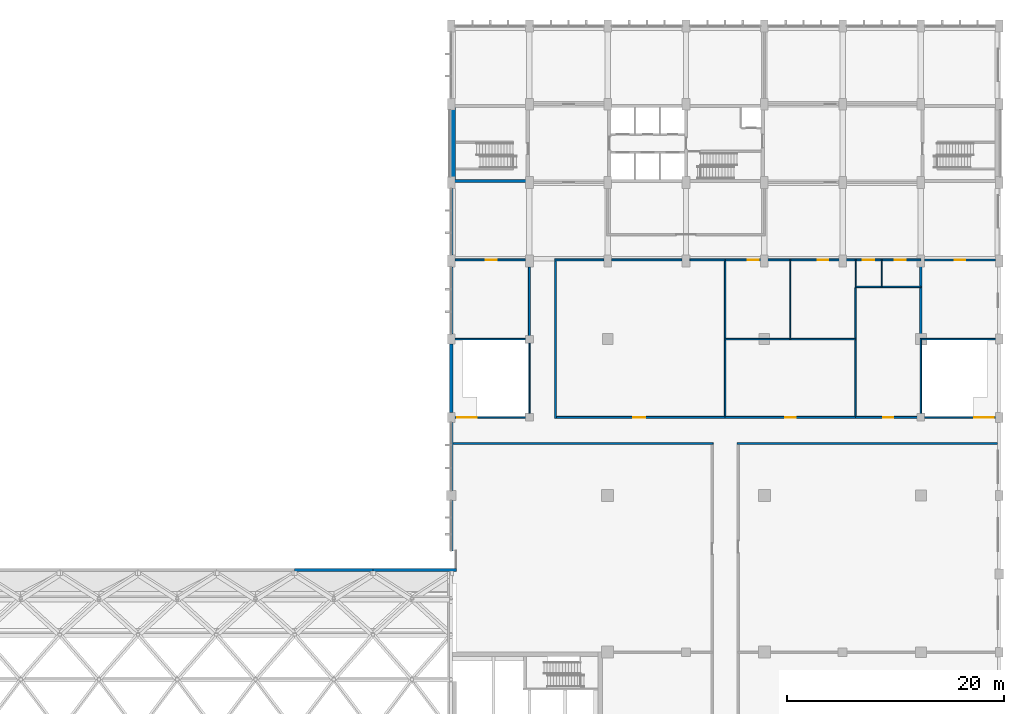
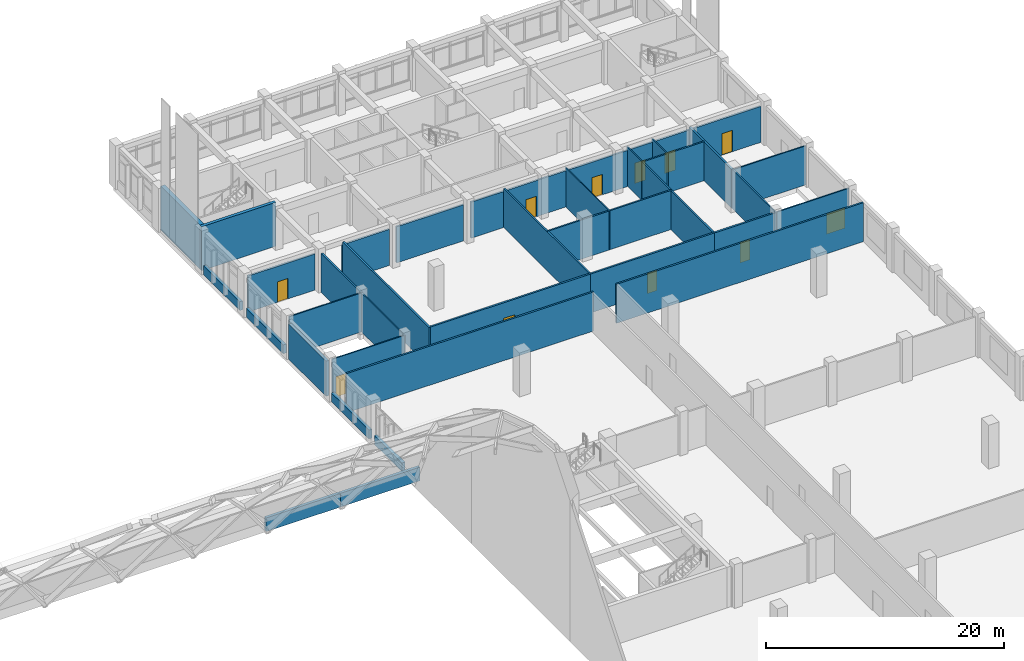
# One storey, part 36 of 52: 41 walls, 11 doors, 11 openings.
"""IFC4 building model written with IfcOpenShell, lengths in metres."""

from ifc_helpers import new_model, si_unit, direction, frame, frame_2d, origin, place, context, subcontext, project, spatial, rectangle, extrude, material, layer, layer_set, type_object, element, fill, save


model = new_model("IFC4")

# Units and contexts
model_context = context("Model", 3, precision=1e-05, world=origin(), true_north=direction((0.0, 1.0)))
body_context = subcontext(model_context, "Body", "Model", "MODEL_VIEW")
ifc_project = project(units=[si_unit("LENGTHUNIT", "METRE"), si_unit("AREAUNIT", "SQUARE_METRE"), si_unit("VOLUMEUNIT", "CUBIC_METRE"), si_unit("PLANEANGLEUNIT", "RADIAN"), si_unit("MASSUNIT", "GRAM", prefix="KILO")], contexts=[model_context])

# Site, building, storey
site_placement = place(None, origin())
site = spatial("IfcSite", under=ifc_project, at=site_placement, CompositionType="ELEMENT")
building_placement = place(site_placement, origin())
building = spatial("IfcBuilding", under=site, at=building_placement, Name="Vermilion Court Aquatics Centre", CompositionType="ELEMENT")
storey_placement = place(building_placement, frame((0.0, 0.0, 12.0)))
storey = spatial("IfcBuildingStorey", under=building, at=storey_placement, Name="L02", CompositionType="ELEMENT", Elevation=12.0)

# Walls
ifc_material_1 = material(Name="Brick masonry", Category="masonry")
ifc_layer_1 = layer(ifc_material_1, 0.280029296875)
ifc_layer_set_1 = layer_set([ifc_layer_1], Name="Envelope brick parapet 280")
wall_type_1 = type_object("IfcWallType", Name="Envelope brick parapet 280", PredefinedType="PARAPET", material=ifc_layer_set_1)
wall_1_placement = place(storey_placement, frame((129.60009765625, 65.159912109375, 0.0), z_axis=(0.0, 0.0, 1.0), x_axis=(1.0, 0.0, 0.0)))
element("IfcWall", 1, at=wall_1_placement, inside=storey, type_object=wall_type_1, Name="Roof parapet N17", PredefinedType="PARAPET", context=body_context, shape_type="SweptSolid", body=[
    extrude(rectangle(XDim=7.199951171875, YDim=0.280029296875, at=frame_2d((3.60009765625, 0.0))), origin(), (0.0, 0.0, 1.0), 1.39990234375),
])
wall_2_placement = place(storey_placement, frame((136.800048828125, 65.159912109375, 0.0), z_axis=(0.0, 0.0, 1.0), x_axis=(1.0, 0.0, 0.0)))
element("IfcWall", 2, at=wall_2_placement, inside=storey, type_object=wall_type_1, Name="Roof parapet N18", PredefinedType="PARAPET", context=body_context, shape_type="SweptSolid", body=[
    extrude(rectangle(XDim=7.699951171875, YDim=0.280029296875, at=frame_2d((3.85009765625, 0.0))), origin(), (0.0, 0.0, 1.0), 1.39990234375),
])
ifc_material_2 = material(Name="Concrete 8000 psi", Category="concrete")
ifc_layer_2 = layer(ifc_material_2, 0.39990234375)
ifc_layer_set_2 = layer_set([ifc_layer_2], Name="North block core brick-faced shear wall 400")
wall_type_2 = type_object("IfcWallType", Name="North block core brick-faced shear wall 400", PredefinedType="SHEAR", material=ifc_layer_set_2)
wall_3_placement = place(storey_placement, frame((144.199951171875, 101.10009765625, 0.0), z_axis=(0.0, 0.0, 1.0), x_axis=(0.0, 1.0, 0.0)))
element("IfcWall", 3, at=wall_3_placement, inside=storey, type_object=wall_type_2, Name="Stair 1 shear wall outer L02", PredefinedType="SHEAR", context=body_context, shape_type="SweptSolid", body=[
    extrude(rectangle(XDim=6.599853515625, YDim=0.39990234375, at=frame_2d((3.2998046875, 0.0))), origin(), (0.0, 0.0, 1.0), 4.5),
])
ifc_material_3 = material(Name="Concrete 8000 psi", Category="concrete")
ifc_layer_3 = layer(ifc_material_3, 0.300048828125)
ifc_layer_set_3 = layer_set([ifc_layer_3], Name="North block core shear wall 300")
wall_type_3 = type_object("IfcWallType", Name="North block core shear wall 300", PredefinedType="SHEAR", material=ifc_layer_set_3)
wall_4_placement = place(storey_placement, frame((144.0, 100.949951171875, 0.0), z_axis=(0.0, 0.0, 1.0), x_axis=(1.0, 0.0, 0.0)))
element("IfcWall", 4, at=wall_4_placement, inside=storey, type_object=wall_type_3, Name="Stair 1 shear wall south L02", PredefinedType="SHEAR", context=body_context, shape_type="SweptSolid", body=[
    extrude(rectangle(XDim=7.199951171875, YDim=0.300048828125, at=frame_2d((3.60009765625, 0.0))), origin(), (0.0, 0.0, 1.0), 4.5),
])
ifc_material_4 = material(Name="Concrete masonry ASTM C90 Type I", Category="masonry")
ifc_layer_4 = layer(ifc_material_4, 0.175048828125)
ifc_layer_set_4 = layer_set([ifc_layer_4], Name="Podium corridor wall 175, 1 hr")
wall_type_4 = type_object("IfcWallType", Name="Podium corridor wall 175, 1 hr", PredefinedType="PARTITIONING", material=ifc_layer_set_4)
for number, where, z_axis, x_axis, name in (
    (5, (144.14990234375, 76.800048828125, 0.0), (0.0, 0.0, 1.0), (1.0, 0.0, 0.0), "Corridor wall"),
    (6, (170.3125, 76.800048828125, 0.0), (0.0, 0.0, 1.0), (1.0, 0.0, 0.0), "Corridor wall"),
):
    element("IfcWall", number, at=place(storey_placement, frame(where, z_axis=z_axis, x_axis=x_axis)), inside=storey, type_object=wall_type_4, Name=name, PredefinedType="PARTITIONING", context=body_context, shape_type="SweptSolid", body=[
        extrude(rectangle(XDim=23.9375, YDim=0.175048828125, at=frame_2d((11.96875, 0.0))), origin(), (0.0, 0.0, 1.0), 4.0),
    ])

# Wall, opening, door
wall_5_placement = place(storey_placement, frame((153.6875, 79.199951171875, 0.0), z_axis=(0.0, 0.0, 1.0), x_axis=(1.0, 0.0, 0.0)))
wall_5 = element("IfcWall", 7, at=wall_5_placement, inside=storey, type_object=wall_type_4, Name="Corridor wall", PredefinedType="PARTITIONING", context=body_context, shape_type="SweptSolid", body=[
    extrude(rectangle(XDim=15.512451171875, YDim=0.175048828125, at=frame_2d((7.75634765625, 0.0))), origin(), (0.0, 0.0, 1.0), 4.0),
])
opening_1_placement = place(wall_5_placement, frame((7.061279296875, 0.0, 0.0)))
opening_1 = element("IfcOpeningElement", 8, at=opening_1_placement, cuts=wall_5, Name="Opening P02-013", PredefinedType="OPENING", context=body_context, shape_type="SweptSolid", body=[
    extrude(rectangle(XDim=1.10009765625, YDim=2.39990234375, at=frame_2d((0.550048828125, 1.199951171875))), frame((0.0, 0.097412109375, 0.0), z_axis=(0.0, -1.0, 0.0), x_axis=(1.0, 0.0, 0.0)), (0.0, 0.0, 1.0), 0.195068359375),
])
ifc_material_5 = material(Name="Hollow metal")
door_type_1 = type_object("IfcDoorType", Name="Podium fire door community room 1100x2400, 60 min", OperationType="SINGLE_SWING_LEFT", PredefinedType="DOOR", material=ifc_material_5)
door_1_placement = place(opening_1_placement, origin())
door_1 = element("IfcDoor", 9, at=door_1_placement, inside=storey, type_object=door_type_1, Name="Door", OperationType="SINGLE_SWING_LEFT", OverallHeight=2.39990234375, OverallWidth=1.10009765625, PredefinedType="DOOR", context=body_context, shape_type="SweptSolid", body=[
    extrude(rectangle(XDim=1.10009765625, YDim=2.39990234375, at=frame_2d((0.550048828125, 1.199951171875))), frame((0.0, 0.02490234375, 0.0), z_axis=(0.0, -1.0, 0.0), x_axis=(1.0, 0.0, 0.0)), (0.0, 0.0, 1.0), 0.050048828125),
])
fill(opening_1, door_1)

wall_6_placement = place(storey_placement, frame((169.199951171875, 79.199951171875, 0.0), z_axis=(0.0, 0.0, 1.0), x_axis=(1.0, 0.0, 0.0)))
wall_6 = element("IfcWall", 10, at=wall_6_placement, inside=storey, type_object=wall_type_4, Name="Corridor wall", PredefinedType="PARTITIONING", context=body_context, shape_type="SweptSolid", body=[
    extrude(rectangle(XDim=12.0, YDim=0.175048828125, at=frame_2d((6.0, 0.0))), origin(), (0.0, 0.0, 1.0), 4.0),
])
opening_2_placement = place(wall_6_placement, frame((5.52490234375, 0.0, 0.0)))
opening_2 = element("IfcOpeningElement", 11, at=opening_2_placement, cuts=wall_6, Name="Opening P02-014", PredefinedType="OPENING", context=body_context, shape_type="SweptSolid", body=[
    extrude(rectangle(XDim=0.949951171875, YDim=2.10009765625, at=frame_2d((0.47509765625, 1.050048828125))), frame((0.0, 0.097412109375, 0.0), z_axis=(0.0, -1.0, 0.0), x_axis=(1.0, 0.0, 0.0)), (0.0, 0.0, 1.0), 0.195068359375),
])
ifc_material_6 = material(Name="Hollow metal")
door_type_2 = type_object("IfcDoorType", Name="Podium fire door treatment room 950x2100, 60 min", OperationType="NOTDEFINED", PredefinedType="DOOR", material=ifc_material_6)
door_2_placement = place(opening_2_placement, origin())
door_2 = element("IfcDoor", 12, at=door_2_placement, inside=storey, type_object=door_type_2, Name="Door", OperationType="SINGLE_SWING_RIGHT", OverallHeight=2.10009765625, OverallWidth=0.949951171875, PredefinedType="DOOR", context=body_context, shape_type="SweptSolid", body=[
    extrude(rectangle(XDim=0.949951171875, YDim=2.10009765625, at=frame_2d((0.47509765625, 1.050048828125))), frame((0.0, 0.02490234375, 0.0), z_axis=(0.0, -1.0, 0.0), x_axis=(1.0, 0.0, 0.0)), (0.0, 0.0, 1.0), 0.050048828125),
])
fill(opening_2, door_2)

wall_7_placement = place(storey_placement, frame((181.199951171875, 79.199951171875, 0.0), z_axis=(0.0, 0.0, 1.0), x_axis=(1.0, 0.0, 0.0)))
wall_7 = element("IfcWall", 13, at=wall_7_placement, inside=storey, type_object=wall_type_4, Name="Corridor wall", PredefinedType="PARTITIONING", context=body_context, shape_type="SweptSolid", body=[
    extrude(rectangle(XDim=5.9375, YDim=0.175048828125, at=frame_2d((2.96875, 0.0))), origin(), (0.0, 0.0, 1.0), 4.0),
])
opening_3_placement = place(wall_7_placement, frame((2.52490234375, 0.0, 0.0)))
opening_3 = element("IfcOpeningElement", 14, at=opening_3_placement, cuts=wall_7, Name="Opening P02-015", PredefinedType="OPENING", context=body_context, shape_type="SweptSolid", body=[
    extrude(rectangle(XDim=0.949951171875, YDim=2.10009765625, at=frame_2d((0.47509765625, 1.050048828125))), frame((0.0, 0.097412109375, 0.0), z_axis=(0.0, -1.0, 0.0), x_axis=(1.0, 0.0, 0.0)), (0.0, 0.0, 1.0), 0.195068359375),
])
door_3_placement = place(opening_3_placement, origin())
door_3 = element("IfcDoor", 15, at=door_3_placement, inside=storey, type_object=door_type_2, Name="Door", OperationType="SINGLE_SWING_RIGHT", OverallHeight=2.10009765625, OverallWidth=0.949951171875, PredefinedType="DOOR", context=body_context, shape_type="SweptSolid", body=[
    extrude(rectangle(XDim=0.949951171875, YDim=2.10009765625, at=frame_2d((0.47509765625, 1.050048828125))), frame((0.0, 0.02490234375, 0.0), z_axis=(0.0, -1.0, 0.0), x_axis=(1.0, 0.0, 0.0)), (0.0, 0.0, 1.0), 0.050048828125),
])
fill(opening_3, door_3)

# Walls
wall_8_placement = place(storey_placement, frame((153.60009765625, 79.112548828125, 0.0), z_axis=(0.0, 0.0, 1.0), x_axis=(0.0, 1.0, 0.0)))
element("IfcWall", 16, at=wall_8_placement, inside=storey, type_object=wall_type_4, Name="Corridor wall", PredefinedType="PARTITIONING", context=body_context, shape_type="SweptSolid", body=[
    extrude(rectangle(XDim=14.487548828125, YDim=0.175048828125, at=frame_2d((7.24365234375, 0.0))), origin(), (0.0, 0.0, 1.0), 4.0),
])
wall_9_placement = place(storey_placement, frame((151.199951171875, 86.46240234375, 0.0), z_axis=(0.0, 0.0, 1.0), x_axis=(0.0, 1.0, 0.0)))
element("IfcWall", 17, at=wall_9_placement, inside=storey, type_object=wall_type_4, Name="Corridor wall", PredefinedType="PARTITIONING", context=body_context, shape_type="SweptSolid", body=[
    extrude(rectangle(XDim=6.587646484375, YDim=0.175048828125, at=frame_2d((3.2939453125, 0.0))), origin(), (0.0, 0.0, 1.0), 4.0),
])

# Wall, opening, door
wall_10_placement = place(storey_placement, frame((144.35009765625, 93.6875, 0.0), z_axis=(0.0, 0.0, 1.0), x_axis=(1.0, 0.0, 0.0)))
wall_10 = element("IfcWall", 18, at=wall_10_placement, inside=storey, type_object=wall_type_4, Name="Corridor wall", PredefinedType="PARTITIONING", context=body_context, shape_type="SweptSolid", body=[
    extrude(rectangle(XDim=6.5, YDim=0.175048828125, at=frame_2d((3.25, 0.0))), origin(), (0.0, 0.0, 1.0), 3.699951171875),
])
opening_4_placement = place(wall_10_placement, frame((2.852783203125, 0.0, 0.0)))
opening_4 = element("IfcOpeningElement", 19, at=opening_4_placement, cuts=wall_10, Name="Opening P02-019", PredefinedType="OPENING", context=body_context, shape_type="SweptSolid", body=[
    extrude(rectangle(XDim=1.0, YDim=2.10009765625, at=frame_2d((0.5, 1.050048828125))), frame((0.0, 0.097412109375, 0.0), z_axis=(0.0, -1.0, 0.0), x_axis=(1.0, 0.0, 0.0)), (0.0, 0.0, 1.0), 0.195068359375),
])
ifc_material_7 = material(Name="Hollow metal")
door_type_3 = type_object("IfcDoorType", Name="Podium fire door leaf 1000x2100, 60 min", OperationType="NOTDEFINED", PredefinedType="DOOR", material=ifc_material_7)
door_4_placement = place(opening_4_placement, frame((1.0, 0.0, 0.0), z_axis=(0.0, 0.0, 1.0), x_axis=(-1.0, 0.0, 0.0)))
door_4 = element("IfcDoor", 20, at=door_4_placement, inside=storey, type_object=door_type_3, Name="Door", OperationType="SINGLE_SWING_RIGHT", OverallHeight=2.10009765625, OverallWidth=1.0, PredefinedType="DOOR", context=body_context, shape_type="SweptSolid", body=[
    extrude(rectangle(XDim=1.0, YDim=2.10009765625, at=frame_2d((0.5, 1.050048828125))), frame((0.0, 0.025146484375, 0.0), z_axis=(0.0, -1.0, 0.0), x_axis=(1.0, 0.0, 0.0)), (0.0, 0.0, 1.0), 0.050048828125),
])
fill(opening_4, door_4)

# Walls
wall_11_placement = place(storey_placement, frame((153.512451171875, 93.6875, 0.0), z_axis=(0.0, 0.0, 1.0), x_axis=(1.0, 0.0, 0.0)))
element("IfcWall", 21, at=wall_11_placement, inside=storey, type_object=wall_type_4, Name="Corridor wall", PredefinedType="PARTITIONING", context=body_context, shape_type="SweptSolid", body=[
    extrude(rectangle(XDim=4.53759765625, YDim=0.175048828125, at=frame_2d((2.268798828125, 0.0))), origin(), (0.0, 0.0, 1.0), 3.699951171875),
])
wall_12_placement = place(storey_placement, frame((158.75, 93.6875, 0.0), z_axis=(0.0, 0.0, 1.0), x_axis=(1.0, 0.0, 0.0)))
element("IfcWall", 22, at=wall_12_placement, inside=storey, type_object=wall_type_4, Name="Corridor wall", PredefinedType="PARTITIONING", context=body_context, shape_type="SweptSolid", body=[
    extrude(rectangle(XDim=6.5, YDim=0.175048828125, at=frame_2d((3.25, 0.0))), origin(), (0.0, 0.0, 1.0), 3.699951171875),
])
wall_13_placement = place(storey_placement, frame((165.949951171875, 93.6875, 0.0), z_axis=(0.0, 0.0, 1.0), x_axis=(1.0, 0.0, 0.0)))
element("IfcWall", 23, at=wall_13_placement, inside=storey, type_object=wall_type_4, Name="Corridor wall", PredefinedType="PARTITIONING", context=body_context, shape_type="SweptSolid", body=[
    extrude(rectangle(XDim=3.25, YDim=0.175048828125, at=frame_2d((1.625, 0.0))), origin(), (0.0, 0.0, 1.0), 3.699951171875),
])

# Wall, opening, door
wall_14_placement = place(storey_placement, frame((169.199951171875, 93.6875, 0.0), z_axis=(0.0, 0.0, 1.0), x_axis=(1.0, 0.0, 0.0)))
wall_14 = element("IfcWall", 24, at=wall_14_placement, inside=storey, type_object=wall_type_4, Name="Corridor wall", PredefinedType="PARTITIONING", context=body_context, shape_type="SweptSolid", body=[
    extrude(rectangle(XDim=5.949951171875, YDim=0.175048828125, at=frame_2d((2.97509765625, 0.0))), origin(), (0.0, 0.0, 1.0), 3.699951171875),
])
opening_5_placement = place(wall_14_placement, frame((2.10009765625, 0.0, 0.0)))
opening_5 = element("IfcOpeningElement", 25, at=opening_5_placement, cuts=wall_14, Name="Opening P02-021", PredefinedType="OPENING", context=body_context, shape_type="SweptSolid", body=[
    extrude(rectangle(XDim=1.0, YDim=2.10009765625, at=frame_2d((0.5, 1.050048828125))), frame((0.0, 0.097412109375, 0.0), z_axis=(0.0, -1.0, 0.0), x_axis=(1.0, 0.0, 0.0)), (0.0, 0.0, 1.0), 0.195068359375),
])
door_5_placement = place(opening_5_placement, frame((1.0, 0.0, 0.0), z_axis=(0.0, 0.0, 1.0), x_axis=(-1.0, 0.0, 0.0)))
door_5 = element("IfcDoor", 26, at=door_5_placement, inside=storey, type_object=door_type_3, Name="Door", OperationType="SINGLE_SWING_LEFT", OverallHeight=2.10009765625, OverallWidth=1.0, PredefinedType="DOOR", context=body_context, shape_type="SweptSolid", body=[
    extrude(rectangle(XDim=1.0, YDim=2.10009765625, at=frame_2d((0.5, 1.050048828125))), frame((0.0, 0.025146484375, 0.0), z_axis=(0.0, -1.0, 0.0), x_axis=(1.0, 0.0, 0.0)), (0.0, 0.0, 1.0), 0.050048828125),
])
fill(opening_5, door_5)

wall_15_placement = place(storey_placement, frame((175.25, 93.6875, 0.0), z_axis=(0.0, 0.0, 1.0), x_axis=(1.0, 0.0, 0.0)))
wall_15 = element("IfcWall", 27, at=wall_15_placement, inside=storey, type_object=wall_type_4, Name="Corridor wall", PredefinedType="PARTITIONING", context=body_context, shape_type="SweptSolid", body=[
    extrude(rectangle(XDim=5.89990234375, YDim=0.175048828125, at=frame_2d((2.949951171875, 0.0))), origin(), (0.0, 0.0, 1.0), 3.699951171875),
])
opening_6_placement = place(wall_15_placement, frame((2.449951171875, 0.0, 0.0)))
opening_6 = element("IfcOpeningElement", 28, at=opening_6_placement, cuts=wall_15, Name="Opening P02-022", PredefinedType="OPENING", context=body_context, shape_type="SweptSolid", body=[
    extrude(rectangle(XDim=1.0, YDim=2.10009765625, at=frame_2d((0.5, 1.050048828125))), frame((0.0, 0.097412109375, 0.0), z_axis=(0.0, -1.0, 0.0), x_axis=(1.0, 0.0, 0.0)), (0.0, 0.0, 1.0), 0.195068359375),
])
door_6_placement = place(opening_6_placement, frame((1.0, 0.0, 0.0), z_axis=(0.0, 0.0, 1.0), x_axis=(-1.0, 0.0, 0.0)))
door_6 = element("IfcDoor", 29, at=door_6_placement, inside=storey, type_object=door_type_3, Name="Door", OperationType="SINGLE_SWING_LEFT", OverallHeight=2.10009765625, OverallWidth=1.0, PredefinedType="DOOR", context=body_context, shape_type="SweptSolid", body=[
    extrude(rectangle(XDim=1.0, YDim=2.10009765625, at=frame_2d((0.5, 1.050048828125))), frame((0.0, 0.025146484375, 0.0), z_axis=(0.0, -1.0, 0.0), x_axis=(1.0, 0.0, 0.0)), (0.0, 0.0, 1.0), 0.050048828125),
])
fill(opening_6, door_6)

wall_16_placement = place(storey_placement, frame((181.25, 93.6875, 0.0), z_axis=(0.0, 0.0, 1.0), x_axis=(1.0, 0.0, 0.0)))
wall_16 = element("IfcWall", 30, at=wall_16_placement, inside=storey, type_object=wall_type_4, Name="Corridor wall", PredefinedType="PARTITIONING", context=body_context, shape_type="SweptSolid", body=[
    extrude(rectangle(XDim=2.300048828125, YDim=0.175048828125, at=frame_2d((1.14990234375, 0.0))), origin(), (0.0, 0.0, 1.0), 3.699951171875),
])
opening_7_placement = place(wall_16_placement, frame((0.625, 0.0, 0.0)))
opening_7 = element("IfcOpeningElement", 31, at=opening_7_placement, cuts=wall_16, Name="Opening P02-023", PredefinedType="OPENING", context=body_context, shape_type="SweptSolid", body=[
    extrude(rectangle(XDim=1.050048828125, YDim=2.10009765625, at=frame_2d((0.52490234375, 1.050048828125))), frame((0.0, 0.097412109375, 0.0), z_axis=(0.0, -1.0, 0.0), x_axis=(1.0, 0.0, 0.0)), (0.0, 0.0, 1.0), 0.195068359375),
])
ifc_material_8 = material(Name="Hollow metal")
door_type_4 = type_object("IfcDoorType", Name="Podium fire door accessible WC 1050x2100, 60 min", OperationType="NOTDEFINED", PredefinedType="DOOR", material=ifc_material_8)
door_7_placement = place(opening_7_placement, frame((1.050048828125, 0.0, 0.0), z_axis=(0.0, 0.0, 1.0), x_axis=(-1.0, 0.0, 0.0)))
door_7 = element("IfcDoor", 32, at=door_7_placement, inside=storey, type_object=door_type_4, Name="Door", OperationType="SINGLE_SWING_LEFT", OverallHeight=2.10009765625, OverallWidth=1.050048828125, PredefinedType="DOOR", context=body_context, shape_type="SweptSolid", body=[
    extrude(rectangle(XDim=1.050048828125, YDim=2.10009765625, at=frame_2d((0.525146484375, 1.050048828125))), frame((0.0, 0.025146484375, 0.0), z_axis=(0.0, -1.0, 0.0), x_axis=(1.0, 0.0, 0.0)), (0.0, 0.0, 1.0), 0.050048828125),
])
fill(opening_7, door_7)

wall_17_placement = place(storey_placement, frame((183.64990234375, 93.6875, 0.0), z_axis=(0.0, 0.0, 1.0), x_axis=(1.0, 0.0, 0.0)))
wall_17 = element("IfcWall", 33, at=wall_17_placement, inside=storey, type_object=wall_type_4, Name="Corridor wall", PredefinedType="PARTITIONING", context=body_context, shape_type="SweptSolid", body=[
    extrude(rectangle(XDim=3.550048828125, YDim=0.175048828125, at=frame_2d((1.77490234375, 0.0))), origin(), (0.0, 0.0, 1.0), 3.699951171875),
])
opening_8_placement = place(wall_17_placement, frame((1.14404296875, 0.0, 0.0)))
opening_8 = element("IfcOpeningElement", 34, at=opening_8_placement, cuts=wall_17, Name="Opening P02-016", PredefinedType="OPENING", context=body_context, shape_type="SweptSolid", body=[
    extrude(rectangle(XDim=1.0, YDim=2.10009765625, at=frame_2d((0.5, 1.050048828125))), frame((0.0, 0.097412109375, 0.0), z_axis=(0.0, -1.0, 0.0), x_axis=(1.0, 0.0, 0.0)), (0.0, 0.0, 1.0), 0.195068359375),
])
door_8_placement = place(opening_8_placement, frame((1.0, 0.0, 0.0), z_axis=(0.0, 0.0, 1.0), x_axis=(-1.0, 0.0, 0.0)))
door_8 = element("IfcDoor", 35, at=door_8_placement, inside=storey, type_object=door_type_3, Name="Door", OperationType="SINGLE_SWING_LEFT", OverallHeight=2.10009765625, OverallWidth=1.0, PredefinedType="DOOR", context=body_context, shape_type="SweptSolid", body=[
    extrude(rectangle(XDim=1.0, YDim=2.10009765625, at=frame_2d((0.5, 1.050048828125))), frame((0.0, 0.025146484375, 0.0), z_axis=(0.0, -1.0, 0.0), x_axis=(1.0, 0.0, 0.0)), (0.0, 0.0, 1.0), 0.050048828125),
])
fill(opening_8, door_8)

wall_18_placement = place(storey_placement, frame((187.550048828125, 93.6875, 0.0), z_axis=(0.0, 0.0, 1.0), x_axis=(1.0, 0.0, 0.0)))
wall_18 = element("IfcWall", 36, at=wall_18_placement, inside=storey, type_object=wall_type_4, Name="Corridor wall", PredefinedType="PARTITIONING", context=body_context, shape_type="SweptSolid", body=[
    extrude(rectangle(XDim=6.5, YDim=0.175048828125, at=frame_2d((3.25, 0.0))), origin(), (0.0, 0.0, 1.0), 3.699951171875),
])
opening_9_placement = place(wall_18_placement, frame((2.75, 0.0, 0.0)))
opening_9 = element("IfcOpeningElement", 37, at=opening_9_placement, cuts=wall_18, Name="Opening P02-020", PredefinedType="OPENING", context=body_context, shape_type="SweptSolid", body=[
    extrude(rectangle(XDim=1.0, YDim=2.199951171875, at=frame_2d((0.5, 1.10009765625))), frame((0.0, 0.097412109375, 0.0), z_axis=(0.0, -1.0, 0.0), x_axis=(1.0, 0.0, 0.0)), (0.0, 0.0, 1.0), 0.195068359375),
])
ifc_material_9 = material(Name="Hollow metal")
door_type_5 = type_object("IfcDoorType", Name="Podium fire door back-of-house leaf 1000x2200, 60 min", OperationType="NOTDEFINED", PredefinedType="DOOR", material=ifc_material_9)
door_9_placement = place(opening_9_placement, frame((1.0, 0.0, 0.0), z_axis=(0.0, 0.0, 1.0), x_axis=(-1.0, 0.0, 0.0)))
door_9 = element("IfcDoor", 38, at=door_9_placement, inside=storey, type_object=door_type_5, Name="Door", OperationType="SINGLE_SWING_LEFT", OverallHeight=2.199951171875, OverallWidth=1.0, PredefinedType="DOOR", context=body_context, shape_type="SweptSolid", body=[
    extrude(rectangle(XDim=1.0, YDim=2.199951171875, at=frame_2d((0.5, 1.10009765625))), frame((0.0, 0.025146484375, 0.0), z_axis=(0.0, -1.0, 0.0), x_axis=(1.0, 0.0, 0.0)), (0.0, 0.0, 1.0), 0.050048828125),
])
fill(opening_9, door_9)

# Walls
ifc_material_10 = material(Name="Brick masonry", Category="masonry")
ifc_layer_5 = layer(ifc_material_10, 0.300048828125)
ifc_layer_set_5 = layer_set([ifc_layer_5], Name="Podium facade brick wall 300")
wall_type_5 = type_object("IfcWallType", Name="Podium facade brick wall 300", PredefinedType="SOLIDWALL", material=ifc_layer_set_5)
wall_19_placement = place(storey_placement, frame((144.0, 66.89990234375, 0.0), z_axis=(0.0, 0.0, 1.0), x_axis=(0.0, 1.0, 0.0)))
element("IfcWall", 39, at=wall_19_placement, inside=storey, type_object=wall_type_5, Name="Facade sill wall L02", PredefinedType="SOLIDWALL", context=body_context, shape_type="SweptSolid", body=[
    extrude(rectangle(XDim=4.650146484375, YDim=0.300048828125, at=frame_2d((2.3251953125, 0.0))), origin(), (0.0, 0.0, 1.0), 0.89990234375),
])
wall_20_placement = place(storey_placement, frame((144.0, 72.449951171875, 0.0), z_axis=(0.0, 0.0, 1.0), x_axis=(0.0, 1.0, 0.0)))
element("IfcWall", 40, at=wall_20_placement, inside=storey, type_object=wall_type_5, Name="Facade sill wall L02", PredefinedType="SOLIDWALL", context=body_context, shape_type="SweptSolid", body=[
    extrude(rectangle(XDim=6.300048828125, YDim=0.300048828125, at=frame_2d((3.14990234375, 0.0))), origin(), (0.0, 0.0, 1.0), 0.89990234375),
])
wall_21_placement = place(storey_placement, frame((144.0, 79.64990234375, 0.0), z_axis=(0.0, 0.0, 1.0), x_axis=(0.0, 1.0, 0.0)))
element("IfcWall", 41, at=wall_21_placement, inside=storey, type_object=wall_type_5, Name="Facade wall L02", PredefinedType="SOLIDWALL", context=body_context, shape_type="SweptSolid", body=[
    extrude(rectangle(XDim=6.300048828125, YDim=0.300048828125, at=frame_2d((3.14990234375, 0.0))), origin(), (0.0, 0.0, 1.0), 3.60009765625),
])
wall_22_placement = place(storey_placement, frame((144.0, 86.85009765625, 0.0), z_axis=(0.0, 0.0, 1.0), x_axis=(0.0, 1.0, 0.0)))
element("IfcWall", 42, at=wall_22_placement, inside=storey, type_object=wall_type_5, Name="Facade sill wall L02", PredefinedType="SOLIDWALL", context=body_context, shape_type="SweptSolid", body=[
    extrude(rectangle(XDim=6.199951171875, YDim=0.300048828125, at=frame_2d((3.10009765625, 0.0))), origin(), (0.0, 0.0, 1.0), 0.89990234375),
])
wall_23_placement = place(storey_placement, frame((144.0, 94.14990234375, 0.0), z_axis=(0.0, 0.0, 1.0), x_axis=(0.0, 1.0, 0.0)))
element("IfcWall", 43, at=wall_23_placement, inside=storey, type_object=wall_type_5, Name="Facade sill wall L02", PredefinedType="SOLIDWALL", context=body_context, shape_type="SweptSolid", body=[
    extrude(rectangle(XDim=6.10009765625, YDim=0.300048828125, at=frame_2d((3.050048828125, 0.0))), origin(), (0.0, 0.0, 1.0), 0.89990234375),
])
ifc_material_11 = material(Name="Concrete masonry ASTM C90 Type I", Category="masonry")
ifc_layer_6 = layer(ifc_material_11, 0.199951171875)
ifc_layer_set_6 = layer_set([ifc_layer_6], Name="Podium fire-rated partition 200, 1 hr")
wall_type_6 = type_object("IfcWallType", Name="Podium fire-rated partition 200, 1 hr", PredefinedType="PARTITIONING", material=ifc_layer_set_6)
wall_24_placement = place(storey_placement, frame((187.199951171875, 86.46240234375, 0.0), z_axis=(0.0, 0.0, 1.0), x_axis=(0.0, 1.0, 0.0)))
element("IfcWall", 44, at=wall_24_placement, inside=storey, type_object=wall_type_6, Name="Fire-rated partition", PredefinedType="PARTITIONING", context=body_context, shape_type="SweptSolid", body=[
    extrude(rectangle(XDim=7.1376953125, YDim=0.199951171875, at=frame_2d((3.56884765625, 0.0))), origin(), (0.0, 0.0, 1.0), 4.0),
])
ifc_material_12 = material(Name="Gypsum board")
ifc_layer_7 = layer(ifc_material_12, 0.14990234375)
ifc_layer_set_7 = layer_set([ifc_layer_7], Name="Podium partition wall 150")
wall_type_7 = type_object("IfcWallType", Name="Podium partition wall 150", PredefinedType="PARTITIONING", material=ifc_layer_set_7)
wall_25_placement = place(storey_placement, frame((169.199951171875, 79.28759765625, 0.0), z_axis=(0.0, 0.0, 1.0), x_axis=(0.0, 1.0, 0.0)))
element("IfcWall", 45, at=wall_25_placement, inside=storey, type_object=wall_type_7, Name="Partition", PredefinedType="PARTITIONING", context=body_context, shape_type="SweptSolid", body=[
    extrude(rectangle(XDim=14.3125, YDim=0.14990234375, at=frame_2d((7.15625, 0.0))), origin(), (0.0, 0.0, 1.0), 4.0),
])
wall_26_placement = place(storey_placement, frame((181.199951171875, 79.28759765625, 0.0), z_axis=(0.0, 0.0, 1.0), x_axis=(0.0, 1.0, 0.0)))
element("IfcWall", 46, at=wall_26_placement, inside=storey, type_object=wall_type_7, Name="Partition", PredefinedType="PARTITIONING", context=body_context, shape_type="SweptSolid", body=[
    extrude(rectangle(XDim=11.83740234375, YDim=0.14990234375, at=frame_2d((5.918701171875, 0.0))), origin(), (0.0, 0.0, 1.0), 4.0),
])
for number, where, z_axis, x_axis, name in (
    (47, (169.199951171875, 86.39990234375, 0.0), (0.0, 0.0, 1.0), (1.0, 0.0, 0.0), "Partition"),
    (48, (175.25, 86.39990234375, 0.0), (0.0, 0.0, 1.0), (1.0, 0.0, 0.0), "Partition"),
):
    element("IfcWall", number, at=place(storey_placement, frame(where, z_axis=z_axis, x_axis=x_axis)), inside=storey, type_object=wall_type_7, Name=name, PredefinedType="PARTITIONING", context=body_context, shape_type="SweptSolid", body=[
        extrude(rectangle(XDim=5.949951171875, YDim=0.14990234375, at=frame_2d((2.97509765625, 0.0))), origin(), (0.0, 0.0, 1.0), 4.0),
    ])
wall_27_placement = place(storey_placement, frame((181.14990234375, 91.199951171875, 0.0), z_axis=(0.0, 0.0, 1.0), x_axis=(1.0, 0.0, 0.0)))
element("IfcWall", 49, at=wall_27_placement, inside=storey, type_object=wall_type_7, Name="Partition", PredefinedType="PARTITIONING", context=body_context, shape_type="SweptSolid", body=[
    extrude(rectangle(XDim=2.400146484375, YDim=0.14990234375, at=frame_2d((1.2001953125, 0.0))), origin(), (0.0, 0.0, 1.0), 4.0),
])
wall_28_placement = place(storey_placement, frame((183.64990234375, 91.199951171875, 0.0), z_axis=(0.0, 0.0, 1.0), x_axis=(1.0, 0.0, 0.0)))
element("IfcWall", 50, at=wall_28_placement, inside=storey, type_object=wall_type_7, Name="Partition", PredefinedType="PARTITIONING", context=body_context, shape_type="SweptSolid", body=[
    extrude(rectangle(XDim=3.550048828125, YDim=0.14990234375, at=frame_2d((1.77490234375, 0.0))), origin(), (0.0, 0.0, 1.0), 4.0),
])

# Wall, opening, door
ifc_material_13 = material(Name="Concrete 5000 psi", Category="concrete")
ifc_layer_8 = layer(ifc_material_13, 0.125)
ifc_layer_set_8 = layer_set([ifc_layer_8], Name="Podium stair enclosure wall 125, 2 hr")
wall_type_8 = type_object("IfcWallType", Name="Podium stair enclosure wall 125, 2 hr", PredefinedType="SOLIDWALL", material=ifc_layer_set_8)
wall_29_placement = place(storey_placement, frame((144.14990234375, 79.199951171875, 0.0), z_axis=(0.0, 0.0, 1.0), x_axis=(1.0, 0.0, 0.0)))
wall_29 = element("IfcWall", 51, at=wall_29_placement, inside=storey, type_object=wall_type_8, Name="Stair enclosure wall", PredefinedType="SOLIDWALL", context=body_context, shape_type="SweptSolid", body=[
    extrude(rectangle(XDim=6.987548828125, YDim=0.125, at=frame_2d((3.49365234375, 0.0))), origin(), (0.0, 0.0, 1.0), 4.0),
])
opening_10_placement = place(wall_29_placement, frame((0.389892578125, 0.0, 0.0)))
opening_10 = element("IfcOpeningElement", 52, at=opening_10_placement, cuts=wall_29, Name="Opening P02-017", PredefinedType="OPENING", context=body_context, shape_type="SweptSolid", body=[
    extrude(rectangle(XDim=1.800048828125, YDim=2.10009765625, at=frame_2d((0.89990234375, 1.050048828125))), frame((0.0, 0.072509765625, 0.0), z_axis=(0.0, -1.0, 0.0), x_axis=(1.0, 0.0, 0.0)), (0.0, 0.0, 1.0), 0.14501953125),
])
ifc_material_14 = material(Name="Hollow metal")
door_type_6 = type_object("IfcDoorType", Name="Podium fire door stair pair 1800x2100, 90 min", OperationType="DOUBLE_DOOR_SINGLE_SWING", PredefinedType="DOOR", material=ifc_material_14)
door_10_placement = place(opening_10_placement, origin())
door_10 = element("IfcDoor", 53, at=door_10_placement, inside=storey, type_object=door_type_6, Name="Door", OperationType="DOUBLE_DOOR_SINGLE_SWING", OverallHeight=2.10009765625, OverallWidth=1.800048828125, PredefinedType="DOOR", context=body_context, shape_type="SweptSolid", body=[
    extrude(rectangle(XDim=1.800048828125, YDim=2.10009765625, at=frame_2d((0.89990234375, 1.050048828125))), frame((0.0, 0.02490234375, 0.0), z_axis=(0.0, -1.0, 0.0), x_axis=(1.0, 0.0, 0.0)), (0.0, 0.0, 1.0), 0.050048828125),
])
fill(opening_10, door_10)

wall_30_placement = place(storey_placement, frame((187.262451171875, 79.199951171875, 0.0), z_axis=(0.0, 0.0, 1.0), x_axis=(1.0, 0.0, 0.0)))
wall_30 = element("IfcWall", 54, at=wall_30_placement, inside=storey, type_object=wall_type_8, Name="Stair enclosure wall", PredefinedType="SOLIDWALL", context=body_context, shape_type="SweptSolid", body=[
    extrude(rectangle(XDim=6.987548828125, YDim=0.125, at=frame_2d((3.49365234375, 0.0))), origin(), (0.0, 0.0, 1.0), 4.0),
])
opening_11_placement = place(wall_30_placement, frame((4.83740234375, 0.0, 0.0)))
opening_11 = element("IfcOpeningElement", 55, at=opening_11_placement, cuts=wall_30, Name="Opening P02-018", PredefinedType="OPENING", context=body_context, shape_type="SweptSolid", body=[
    extrude(rectangle(XDim=1.800048828125, YDim=2.10009765625, at=frame_2d((0.89990234375, 1.050048828125))), frame((0.0, 0.072509765625, 0.0), z_axis=(0.0, -1.0, 0.0), x_axis=(1.0, 0.0, 0.0)), (0.0, 0.0, 1.0), 0.14501953125),
])
door_11_placement = place(opening_11_placement, origin())
door_11 = element("IfcDoor", 56, at=door_11_placement, inside=storey, type_object=door_type_6, Name="Door", OperationType="DOUBLE_DOOR_SINGLE_SWING", OverallHeight=2.10009765625, OverallWidth=1.800048828125, PredefinedType="DOOR", context=body_context, shape_type="SweptSolid", body=[
    extrude(rectangle(XDim=1.800048828125, YDim=2.10009765625, at=frame_2d((0.89990234375, 1.050048828125))), frame((0.0, 0.02490234375, 0.0), z_axis=(0.0, -1.0, 0.0), x_axis=(1.0, 0.0, 0.0)), (0.0, 0.0, 1.0), 0.050048828125),
])
fill(opening_11, door_11)

# Walls
wall_31_placement = place(storey_placement, frame((151.199951171875, 79.137451171875, 0.0), z_axis=(0.0, 0.0, 1.0), x_axis=(0.0, 1.0, 0.0)))
element("IfcWall", 57, at=wall_31_placement, inside=storey, type_object=wall_type_8, Name="Stair enclosure wall", PredefinedType="SOLIDWALL", context=body_context, shape_type="SweptSolid", body=[
    extrude(rectangle(XDim=7.199951171875, YDim=0.125, at=frame_2d((3.60009765625, 0.0))), origin(), (0.0, 0.0, 1.0), 4.0),
])
wall_32_placement = place(storey_placement, frame((144.14990234375, 86.39990234375, 0.0), z_axis=(0.0, 0.0, 1.0), x_axis=(1.0, 0.0, 0.0)))
element("IfcWall", 58, at=wall_32_placement, inside=storey, type_object=wall_type_8, Name="Stair enclosure wall", PredefinedType="SOLIDWALL", context=body_context, shape_type="SweptSolid", body=[
    extrude(rectangle(XDim=7.112548828125, YDim=0.125, at=frame_2d((3.55615234375, 0.0))), origin(), (0.0, 0.0, 1.0), 4.0),
])
wall_33_placement = place(storey_placement, frame((187.262451171875, 86.39990234375, 0.0), z_axis=(0.0, 0.0, 1.0), x_axis=(1.0, 0.0, 0.0)))
element("IfcWall", 59, at=wall_33_placement, inside=storey, type_object=wall_type_8, Name="Stair enclosure wall", PredefinedType="SOLIDWALL", context=body_context, shape_type="SweptSolid", body=[
    extrude(rectangle(XDim=6.987548828125, YDim=0.125, at=frame_2d((3.49365234375, 0.0))), origin(), (0.0, 0.0, 1.0), 4.0),
])
wall_34_placement = place(storey_placement, frame((187.199951171875, 79.137451171875, 0.0), z_axis=(0.0, 0.0, 1.0), x_axis=(0.0, 1.0, 0.0)))
element("IfcWall", 60, at=wall_34_placement, inside=storey, type_object=wall_type_8, Name="Stair enclosure wall", PredefinedType="SOLIDWALL", context=body_context, shape_type="SweptSolid", body=[
    extrude(rectangle(XDim=7.324951171875, YDim=0.125, at=frame_2d((3.66259765625, 0.0))), origin(), (0.0, 0.0, 1.0), 4.0),
])
ifc_material_15 = material(Name="Gypsum board")
ifc_layer_9 = layer(ifc_material_15, 0.10009765625)
ifc_layer_set_9 = layer_set([ifc_layer_9], Name="Podium wC cubicle partition 100")
wall_type_9 = type_object("IfcWallType", Name="Podium wC cubicle partition 100", PredefinedType="PARTITIONING", material=ifc_layer_set_9)
wall_35_placement = place(storey_placement, frame((181.199951171875, 91.27490234375, 0.0), z_axis=(0.0, 0.0, 1.0), x_axis=(0.0, 1.0, 0.0)))
element("IfcWall", 61, at=wall_35_placement, inside=storey, type_object=wall_type_9, Name="WC partition", PredefinedType="PARTITIONING", context=body_context, shape_type="SweptSolid", body=[
    extrude(rectangle(XDim=2.5, YDim=0.10009765625, at=frame_2d((1.25, 0.0))), origin(), (0.0, 0.0, 1.0), 4.0),
])
wall_36_placement = place(storey_placement, frame((175.199951171875, 86.324951171875, 0.0), z_axis=(0.0, 0.0, 1.0), x_axis=(0.0, 1.0, 0.0)))
element("IfcWall", 62, at=wall_36_placement, inside=storey, type_object=wall_type_9, Name="WC partition", PredefinedType="PARTITIONING", context=body_context, shape_type="SweptSolid", body=[
    extrude(rectangle(XDim=7.449951171875, YDim=0.10009765625, at=frame_2d((3.72509765625, 0.0))), origin(), (0.0, 0.0, 1.0), 4.0),
])
wall_37_placement = place(storey_placement, frame((183.60009765625, 91.125, 0.0), z_axis=(0.0, 0.0, 1.0), x_axis=(0.0, 1.0, 0.0)))
element("IfcWall", 63, at=wall_37_placement, inside=storey, type_object=wall_type_9, Name="WC partition", PredefinedType="PARTITIONING", context=body_context, shape_type="SweptSolid", body=[
    extrude(rectangle(XDim=2.64990234375, YDim=0.10009765625, at=frame_2d((1.324951171875, 0.0))), origin(), (0.0, 0.0, 1.0), 4.0),
])

save(model, "model.ifc")
